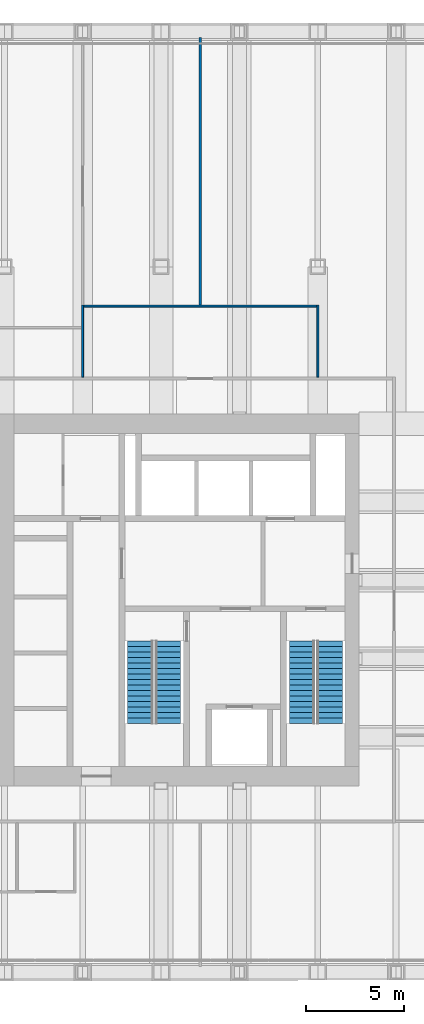
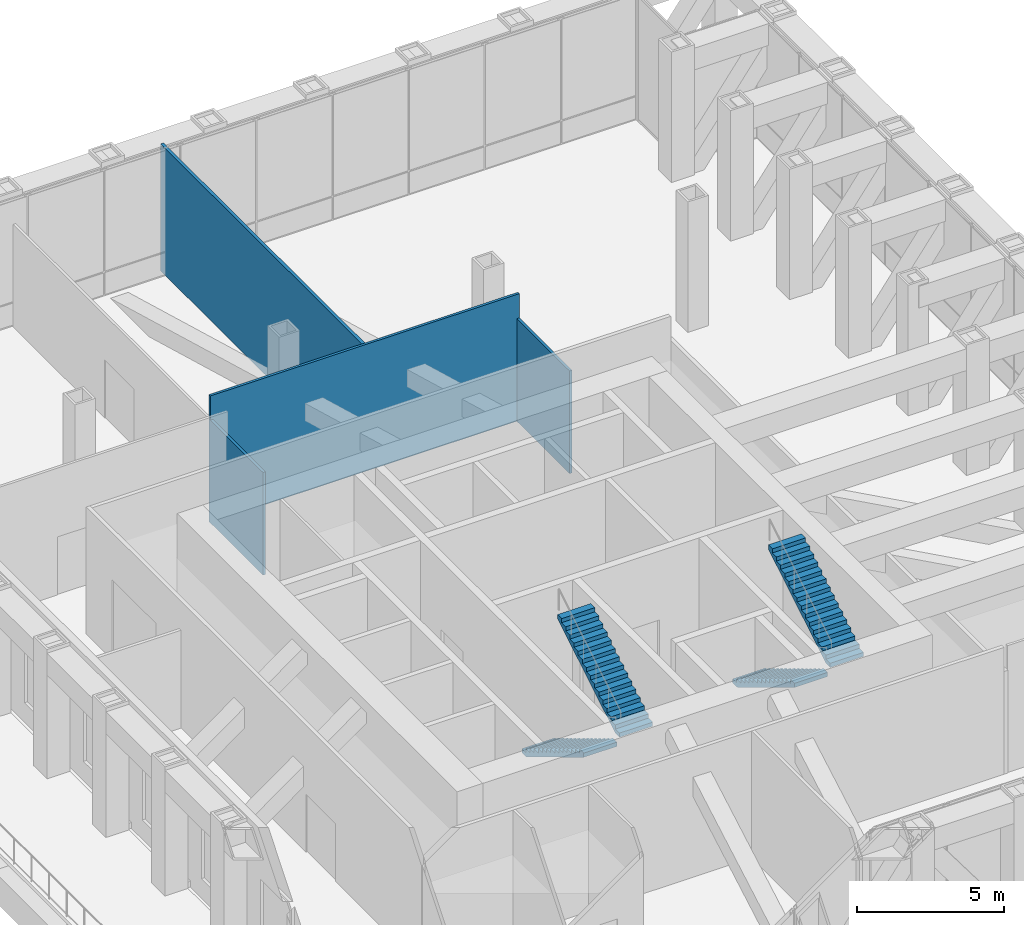
# One storey, part 11 of 12: 4 stair flights, 4 walls, 2 elements without a shape of their own.
"""IFC4 building model written with IfcOpenShell, lengths in metres."""

from ifc_helpers import new_model, si_unit, direction, frame, frame_2d, origin, place, context, subcontext, project, spatial, polyline, rectangle, outline, extrude, material, layer, layer_set, type_object, element, aggregate, save


model = new_model("IFC4")

# Units and contexts
model_context = context("Model", 3, precision=1e-05, world=origin(), true_north=direction((0.0, 1.0)))
body_context = subcontext(model_context, "Body", "Model", "MODEL_VIEW")
ifc_project = project(units=[si_unit("LENGTHUNIT", "METRE"), si_unit("AREAUNIT", "SQUARE_METRE"), si_unit("VOLUMEUNIT", "CUBIC_METRE"), si_unit("PLANEANGLEUNIT", "RADIAN"), si_unit("MASSUNIT", "GRAM", prefix="KILO")], contexts=[model_context])

# Site, building, storey
site_placement = place(None, origin())
site = spatial("IfcSite", under=ifc_project, at=site_placement, CompositionType="ELEMENT")
building_placement = place(site_placement, origin())
building = spatial("IfcBuilding", under=site, at=building_placement, Name="Rimbunsela Tower", CompositionType="ELEMENT")
storey_placement = place(building_placement, frame((0.0, 0.0, 203.800048828125)))
storey = spatial("IfcBuildingStorey", under=building, at=storey_placement, Name="L49", CompositionType="ELEMENT", Elevation=203.800048828125)

# Walls
ifc_material_1 = material(Name="Gypsum board on steel studs", Category="steel")
ifc_layer_1 = layer(ifc_material_1, 0.1201171875)
ifc_layer_set_1 = layer_set([ifc_layer_1], Name="Tenancy partition 120")
wall_type_1 = type_object("IfcWallType", Name="Tenancy partition 120", PredefinedType="PARTITIONING", material=ifc_layer_set_1)
wall_1_placement = place(storey_placement, frame((28.0, 42.050048828125, 0.0), z_axis=(0.0, 0.0, 1.0), x_axis=(0.0, 1.0, 0.0)))
element("IfcWall", 1, at=wall_1_placement, inside=storey, type_object=wall_type_1, Name="Tenancy partition north", PredefinedType="PARTITIONING", context=body_context, shape_type="SweptSolid", body=[
    extrude(rectangle(XDim=13.64990234375, YDim=0.1201171875, at=frame_2d((6.824951171875, 0.0))), origin(), (0.0, 0.0, 1.0), 5.25),
])
ifc_material_2 = material(Name="Concrete blockwork", Category="masonry")
ifc_layer_2 = layer(ifc_material_2, 0.10009765625)
ifc_layer_set_2 = layer_set([ifc_layer_2], Name="Toilet partition 100")
wall_type_2 = type_object("IfcWallType", Name="Toilet partition 100", PredefinedType="PARTITIONING", material=ifc_layer_set_2)
for number, where, z_axis, x_axis, name in (
    (2, (22.0, 38.375, 0.0), (0.0, 0.0, 1.0), (0.0, 1.0, 0.0), "Toilet block wall west"),
    (3, (34.0, 38.375, 0.0), (0.0, 0.0, 1.0), (0.0, 1.0, 0.0), "Toilet block wall east"),
):
    element("IfcWall", number, at=place(storey_placement, frame(where, z_axis=z_axis, x_axis=x_axis)), inside=storey, type_object=wall_type_2, Name=name, PredefinedType="PARTITIONING", context=body_context, shape_type="SweptSolid", body=[
        extrude(rectangle(XDim=3.675048828125, YDim=0.10009765625, at=frame_2d((1.83740234375, 0.0))), origin(), (0.0, 0.0, 1.0), 4.25),
    ])
wall_2_placement = place(storey_placement, frame((21.949951171875, 42.0, 0.0), z_axis=(0.0, 0.0, 1.0), x_axis=(1.0, 0.0, 0.0)))
element("IfcWall", 4, at=wall_2_placement, inside=storey, type_object=wall_type_2, Name="Toilet block wall north", PredefinedType="PARTITIONING", context=body_context, shape_type="SweptSolid", body=[
    extrude(rectangle(XDim=12.10009765625, YDim=0.10009765625, at=frame_2d((6.050048828125, 0.0))), origin(), (0.0, 0.0, 1.0), 5.25),
])

# Stair, stair flights
ifc_material_3 = material(Name="Concrete fc' 35 MPa", Category="concrete")
stair_type = type_object("IfcStairType", Name="Exit stair 32 risers", PredefinedType="HALF_TURN_STAIR", material=ifc_material_3)
stair_1_placement = place(storey_placement, origin())
stair_1 = element("IfcStair", 5, at=stair_1_placement, inside=storey, type_object=stair_type, Name="Exit stair A L49", PredefinedType="HALF_TURN_STAIR")
ifc_material_4 = material(Name="Concrete fc' 35 MPa", Category="concrete")
stair_flight_type = type_object("IfcStairFlightType", Name="Stair flight 16 risers 169", PredefinedType="STRAIGHT", material=ifc_material_4)
stair_flight_1_placement = place(storey_placement, frame((24.949951171875, 24.89990234375, 0.0), z_axis=(0.0, 0.0, 1.0), x_axis=(0.0, -1.0, 0.0)))
stair_flight_1 = element("IfcStairFlight", 6, at=stair_flight_1_placement, type_object=stair_flight_type, Name="ST-A flight 1", NumberOfRisers=16, NumberOfTreads=15, PredefinedType="STRAIGHT", RiserHeight=0.16875, TreadLength=0.28, context=body_context, shape_type="SweptSolid", body=[
    extrude(outline(polyline([(0.0, 0.0), (0.0, 0.168701171875), (0.280029296875, 0.168701171875), (0.280029296875, 0.33740234375), (0.56005859375, 0.33740234375), (0.56005859375, 0.50634765625), (0.840087890625, 0.50634765625), (0.840087890625, 0.675048828125), (1.1201171875, 0.675048828125), (1.1201171875, 0.84375), (1.39990234375, 0.84375), (1.39990234375, 1.012451171875), (1.679931640625, 1.012451171875), (1.679931640625, 1.18115234375), (1.9599609375, 1.18115234375), (1.9599609375, 1.35009765625), (2.239990234375, 1.35009765625), (2.239990234375, 1.518798828125), (2.52001953125, 1.518798828125), (2.52001953125, 1.6875), (2.800048828125, 1.6875), (2.800048828125, 1.856201171875), (3.080078125, 1.856201171875), (3.080078125, 2.02490234375), (3.360107421875, 2.02490234375), (3.360107421875, 2.19384765625), (3.639892578125, 2.19384765625), (3.639892578125, 2.362548828125), (3.919921875, 2.362548828125), (3.919921875, 2.53125), (4.199951171875, 2.53125), (4.199951171875, 2.699951171875), (4.199951171875, 2.356201171875), (0.29052734375, 0.0), (0.0, 0.0)])), frame((0.0, 0.64990234375, 0.0), z_axis=(0.0, -1.0, 0.0), x_axis=(1.0, 0.0, 0.0)), (0.0, 0.0, 1.0), 1.300048828125),
])
stair_flight_2_placement = place(storey_placement, frame((26.35009765625, 20.699951171875, 2.699951171875), z_axis=(0.0, 0.0, 1.0), x_axis=(0.0, 1.0, 0.0)))
stair_flight_2 = element("IfcStairFlight", 7, at=stair_flight_2_placement, type_object=stair_flight_type, Name="ST-A flight 2", NumberOfRisers=16, NumberOfTreads=15, PredefinedType="STRAIGHT", RiserHeight=0.16875, TreadLength=0.28, context=body_context, shape_type="SweptSolid", body=[
    extrude(outline(polyline([(0.0, 0.0), (0.0, 0.168701171875), (0.280029296875, 0.168701171875), (0.280029296875, 0.33740234375), (0.56005859375, 0.33740234375), (0.56005859375, 0.50634765625), (0.840087890625, 0.50634765625), (0.840087890625, 0.675048828125), (1.1201171875, 0.675048828125), (1.1201171875, 0.84375), (1.39990234375, 0.84375), (1.39990234375, 1.012451171875), (1.679931640625, 1.012451171875), (1.679931640625, 1.18115234375), (1.9599609375, 1.18115234375), (1.9599609375, 1.35009765625), (2.239990234375, 1.35009765625), (2.239990234375, 1.518798828125), (2.52001953125, 1.518798828125), (2.52001953125, 1.6875), (2.800048828125, 1.6875), (2.800048828125, 1.856201171875), (3.080078125, 1.856201171875), (3.080078125, 2.02490234375), (3.360107421875, 2.02490234375), (3.360107421875, 2.19384765625), (3.639892578125, 2.19384765625), (3.639892578125, 2.362548828125), (3.919921875, 2.362548828125), (3.919921875, 2.53125), (4.199951171875, 2.53125), (4.199951171875, 2.699951171875), (4.199951171875, 2.356201171875), (0.29052734375, 0.0), (0.0, 0.0)])), frame((0.0, 0.64990234375, 0.0), z_axis=(0.0, -1.0, 0.0), x_axis=(1.0, 0.0, 0.0)), (0.0, 0.0, 1.0), 1.300048828125),
])
aggregate(stair_1, [stair_flight_1, stair_flight_2])

stair_2_placement = place(storey_placement, origin())
stair_2 = element("IfcStair", 8, at=stair_2_placement, inside=storey, type_object=stair_type, Name="Exit stair B L49", PredefinedType="HALF_TURN_STAIR")
stair_flight_3_placement = place(storey_placement, frame((33.199951171875, 24.89990234375, 0.0), z_axis=(0.0, 0.0, 1.0), x_axis=(0.0, -1.0, 0.0)))
stair_flight_3 = element("IfcStairFlight", 9, at=stair_flight_3_placement, type_object=stair_flight_type, Name="ST-B flight 1", NumberOfRisers=16, NumberOfTreads=15, PredefinedType="STRAIGHT", RiserHeight=0.16875, TreadLength=0.28, context=body_context, shape_type="SweptSolid", body=[
    extrude(outline(polyline([(0.0, 0.0), (0.0, 0.168701171875), (0.280029296875, 0.168701171875), (0.280029296875, 0.33740234375), (0.56005859375, 0.33740234375), (0.56005859375, 0.50634765625), (0.840087890625, 0.50634765625), (0.840087890625, 0.675048828125), (1.1201171875, 0.675048828125), (1.1201171875, 0.84375), (1.39990234375, 0.84375), (1.39990234375, 1.012451171875), (1.679931640625, 1.012451171875), (1.679931640625, 1.18115234375), (1.9599609375, 1.18115234375), (1.9599609375, 1.35009765625), (2.239990234375, 1.35009765625), (2.239990234375, 1.518798828125), (2.52001953125, 1.518798828125), (2.52001953125, 1.6875), (2.800048828125, 1.6875), (2.800048828125, 1.856201171875), (3.080078125, 1.856201171875), (3.080078125, 2.02490234375), (3.360107421875, 2.02490234375), (3.360107421875, 2.19384765625), (3.639892578125, 2.19384765625), (3.639892578125, 2.362548828125), (3.919921875, 2.362548828125), (3.919921875, 2.53125), (4.199951171875, 2.53125), (4.199951171875, 2.699951171875), (4.199951171875, 2.356201171875), (0.29052734375, 0.0), (0.0, 0.0)])), frame((0.0, 0.64990234375, 0.0), z_axis=(0.0, -1.0, 0.0), x_axis=(1.0, 0.0, 0.0)), (0.0, 0.0, 1.0), 1.300048828125),
])
stair_flight_4_placement = place(storey_placement, frame((34.60009765625, 20.699951171875, 2.699951171875), z_axis=(0.0, 0.0, 1.0), x_axis=(0.0, 1.0, 0.0)))
stair_flight_4 = element("IfcStairFlight", 10, at=stair_flight_4_placement, type_object=stair_flight_type, Name="ST-B flight 2", NumberOfRisers=16, NumberOfTreads=15, PredefinedType="STRAIGHT", RiserHeight=0.16875, TreadLength=0.28, context=body_context, shape_type="SweptSolid", body=[
    extrude(outline(polyline([(0.0, 0.0), (0.0, 0.168701171875), (0.280029296875, 0.168701171875), (0.280029296875, 0.33740234375), (0.56005859375, 0.33740234375), (0.56005859375, 0.50634765625), (0.840087890625, 0.50634765625), (0.840087890625, 0.675048828125), (1.1201171875, 0.675048828125), (1.1201171875, 0.84375), (1.39990234375, 0.84375), (1.39990234375, 1.012451171875), (1.679931640625, 1.012451171875), (1.679931640625, 1.18115234375), (1.9599609375, 1.18115234375), (1.9599609375, 1.35009765625), (2.239990234375, 1.35009765625), (2.239990234375, 1.518798828125), (2.52001953125, 1.518798828125), (2.52001953125, 1.6875), (2.800048828125, 1.6875), (2.800048828125, 1.856201171875), (3.080078125, 1.856201171875), (3.080078125, 2.02490234375), (3.360107421875, 2.02490234375), (3.360107421875, 2.19384765625), (3.639892578125, 2.19384765625), (3.639892578125, 2.362548828125), (3.919921875, 2.362548828125), (3.919921875, 2.53125), (4.199951171875, 2.53125), (4.199951171875, 2.699951171875), (4.199951171875, 2.356201171875), (0.29052734375, 0.0), (0.0, 0.0)])), frame((0.0, 0.64990234375, 0.0), z_axis=(0.0, -1.0, 0.0), x_axis=(1.0, 0.0, 0.0)), (0.0, 0.0, 1.0), 1.300048828125),
])
aggregate(stair_2, [stair_flight_3, stair_flight_4])

save(model, "model.ifc")
